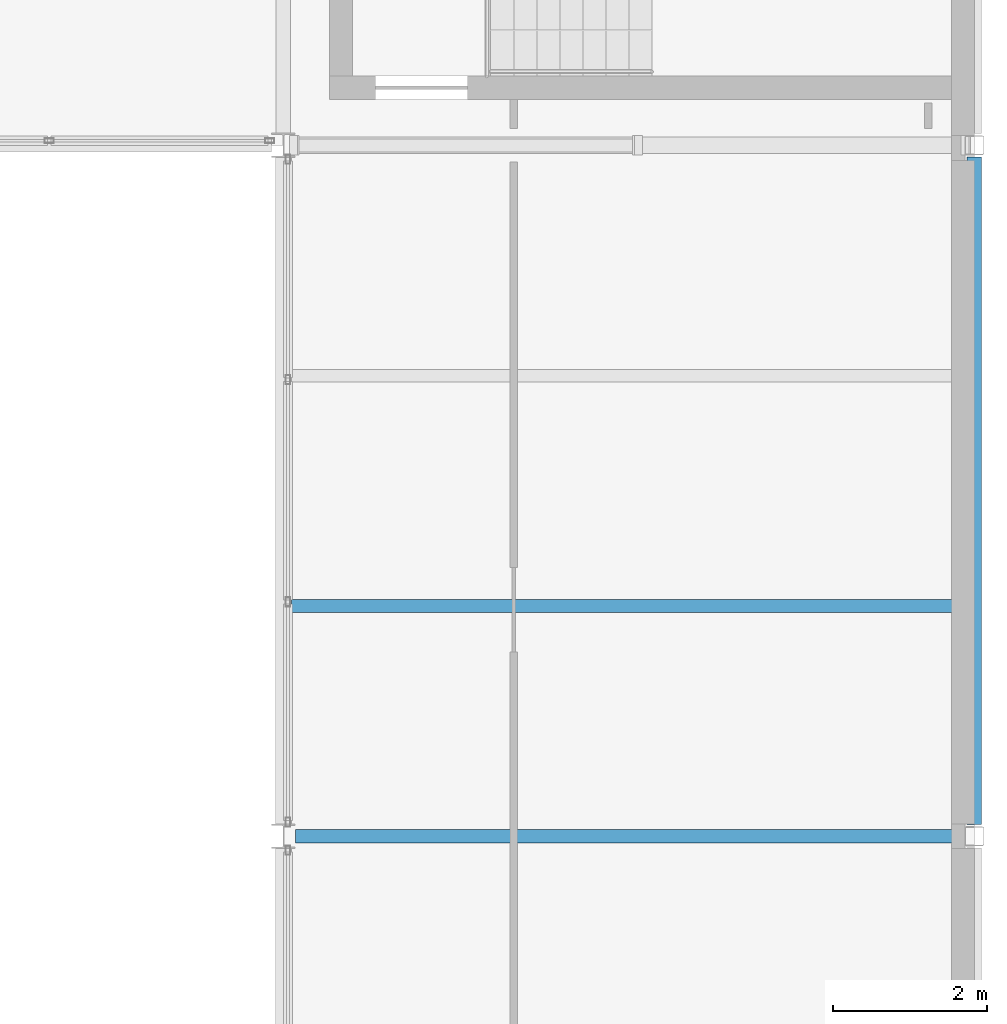
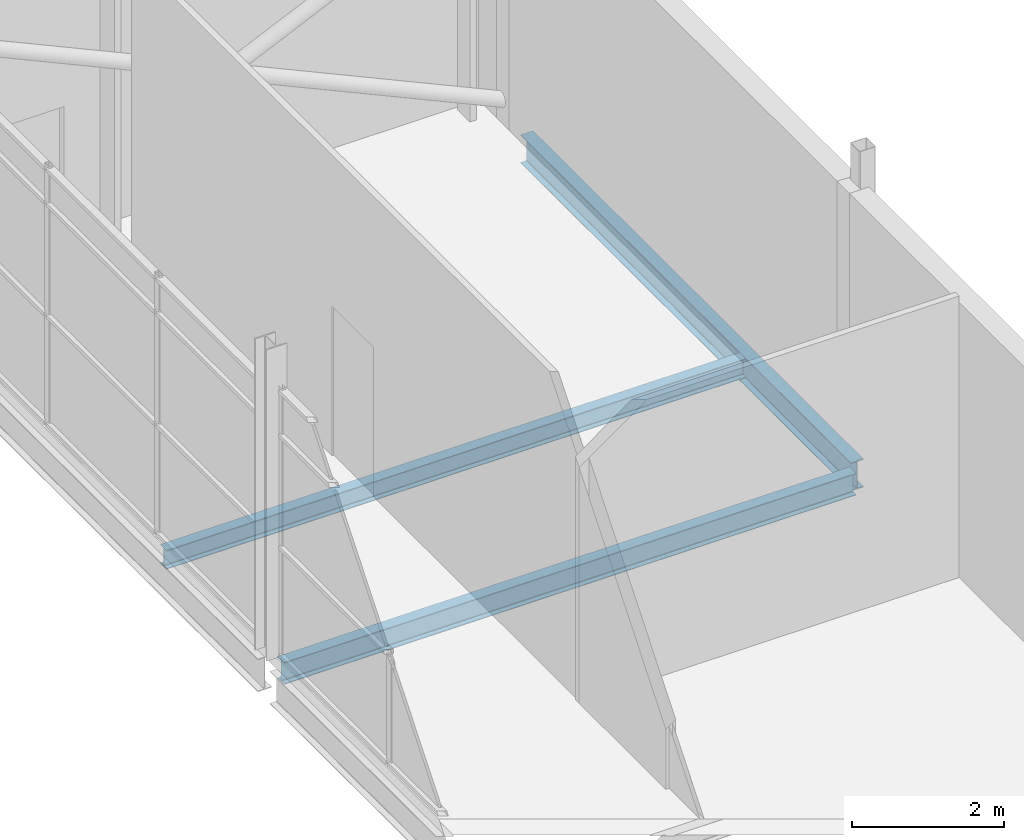
# One storey, part 42 of 61: 3 beams.
"""IFC4 building model written with IfcOpenShell, lengths in metres."""

from ifc_helpers import new_model, si_unit, direction, frame, origin, origin_2d, place, context, subcontext, project, spatial, i_section, extrude, material, material_profile, profile_set, type_object, element, save


model = new_model("IFC4")

# Units and contexts
model_context = context("Model", 3, precision=1e-05, world=origin(), true_north=direction((0.0, 1.0)))
body_context = subcontext(model_context, "Body", "Model", "MODEL_VIEW")
ifc_project = project(units=[si_unit("LENGTHUNIT", "METRE"), si_unit("AREAUNIT", "SQUARE_METRE"), si_unit("VOLUMEUNIT", "CUBIC_METRE"), si_unit("PLANEANGLEUNIT", "RADIAN"), si_unit("MASSUNIT", "GRAM", prefix="KILO")], contexts=[model_context])

# Site, building, storey
site_placement = place(None, origin())
site = spatial("IfcSite", under=ifc_project, at=site_placement, CompositionType="ELEMENT")
building_placement = place(site_placement, origin())
building = spatial("IfcBuilding", under=site, at=building_placement, Name="Shorebreak Coast Museum", CompositionType="ELEMENT")
storey_placement = place(building_placement, frame((0.0, 0.0, 26.0)))
storey = spatial("IfcBuildingStorey", under=building, at=storey_placement, Name="L04", CompositionType="ELEMENT", Elevation=26.0)

# Beams
ifc_material_1 = material(Name="Steel Grade 300", Category="steel")
ifc_material_profile_1 = material_profile(ifc_material_1, i_section(OverallWidth=0.1708984375, OverallDepth=0.35205078125, WebThickness=0.0068359375, FlangeThickness=0.009765625, FilletRadius=0.011474609375, at=origin_2d()), Name="360UB44.7")
ifc_profile_set_1 = profile_set([ifc_material_profile_1], Name="Steel Grade 300")
beam_type_1 = type_object("IfcBeamType", Name="Floor girder east-west 360UB44.7", PredefinedType="BEAM", material=ifc_profile_set_1)
beam_1_placement = place(storey_placement, frame((108.154541015625, 72.0, -0.35107421875), z_axis=(1.0, 0.0, 0.0), x_axis=(0.0, 1.0, 0.0)))
element("IfcBeam", 1, at=beam_1_placement, inside=storey, type_object=beam_type_1, Name="Floor girder east-west L04 13J", PredefinedType="BEAM", context=body_context, shape_type="SweptSolid", body=[
    extrude(i_section(OverallWidth=0.1708984375, OverallDepth=0.35205078125, WebThickness=0.0068359375, FlangeThickness=0.009765625, FilletRadius=0.011474609375, at=origin_2d()), origin(), (0.0, 0.0, 1.0), 8.69287109375),
])
ifc_material_2 = material(Name="Steel Grade 300", Category="steel")
ifc_material_profile_2 = material_profile(ifc_material_2, i_section(OverallWidth=0.18994140625, OverallDepth=0.453857421875, WebThickness=0.008544921875, FlangeThickness=0.0126953125, FilletRadius=0.011474609375, at=origin_2d()), Name="460UB67.1")
ifc_profile_set_2 = profile_set([ifc_material_profile_2], Name="Steel Grade 300")
beam_type_2 = type_object("IfcBeamType", Name="Floor girder north-south 460UB67.1", PredefinedType="BEAM", material=ifc_profile_set_2)
beam_2_placement = place(storey_placement, frame((117.0, 72.154052734375, -0.40185546875), z_axis=(0.0, 1.0, 0.0), x_axis=(-1.0, 0.0, 0.0)))
element("IfcBeam", 2, at=beam_2_placement, inside=storey, type_object=beam_type_2, Name="Floor girder north-south L04 14J", PredefinedType="BEAM", context=body_context, shape_type="SweptSolid", body=[
    extrude(i_section(OverallWidth=0.18994140625, OverallDepth=0.453857421875, WebThickness=0.008544921875, FlangeThickness=0.0126953125, FilletRadius=0.011474609375, at=origin_2d()), origin(), (0.0, 0.0, 1.0), 8.69189453125),
])
ifc_material_3 = material(Name="Steel Grade 300", Category="steel")
ifc_material_profile_3 = material_profile(ifc_material_3, i_section(OverallWidth=0.1650390625, OverallDepth=0.303955078125, WebThickness=0.006103515625, FlangeThickness=0.01025390625, FilletRadius=0.011474609375, at=origin_2d()), Name="310UB40.4")
ifc_profile_set_3 = profile_set([ifc_material_profile_3], Name="Steel Grade 300")
beam_type_3 = type_object("IfcBeamType", Name="Floor joist 310UB40.4", PredefinedType="JOIST", material=ifc_profile_set_3)
beam_3_placement = place(storey_placement, frame((108.1044921875, 75.0, -0.326904296875), z_axis=(1.0, 0.0, 0.0), x_axis=(0.0, 1.0, 0.0)))
element("IfcBeam", 3, at=beam_3_placement, inside=storey, type_object=beam_type_3, Name="Floor joist L04 bay 13J at 3000 mm", PredefinedType="JOIST", context=body_context, shape_type="SweptSolid", body=[
    extrude(i_section(OverallWidth=0.1650390625, OverallDepth=0.303955078125, WebThickness=0.006103515625, FlangeThickness=0.01025390625, FilletRadius=0.011474609375, at=origin_2d()), origin(), (0.0, 0.0, 1.0), 8.800537109375),
])

save(model, "model.ifc")
